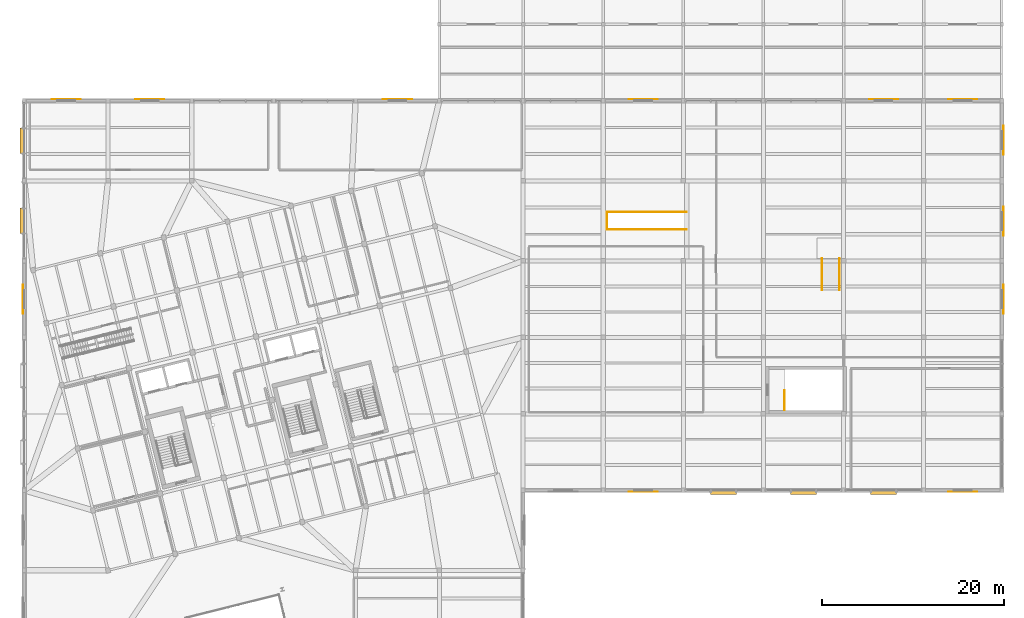
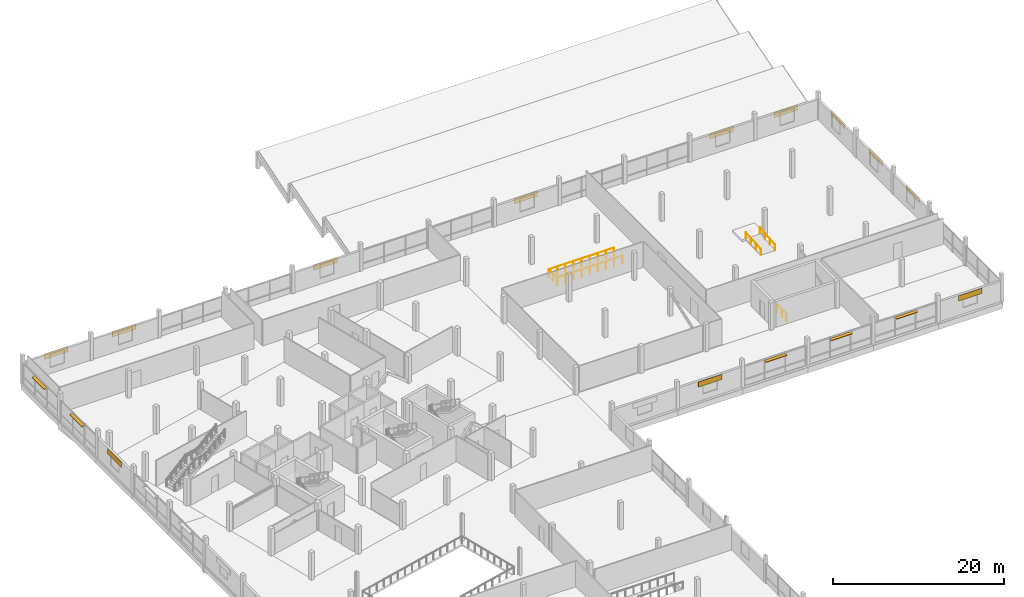
# One storey, part 62 of 62: 12 coverings, 6 railings, 5 shading devices.
"""IFC4 building model written with IfcOpenShell, lengths in metres."""

from ifc_helpers import new_model, si_unit, direction, frame, origin, origin_2d, place, context, subcontext, project, spatial, rectangle, circle, extrude, material, layer, layer_set, type_object, element, save


model = new_model("IFC4")

# Units and contexts
model_context = context("Model", 3, precision=1e-05, world=origin(), true_north=direction((0.0, 1.0)))
body_context = subcontext(model_context, "Body", "Model", "MODEL_VIEW")
ifc_project = project(units=[si_unit("LENGTHUNIT", "METRE"), si_unit("AREAUNIT", "SQUARE_METRE"), si_unit("VOLUMEUNIT", "CUBIC_METRE"), si_unit("PLANEANGLEUNIT", "RADIAN"), si_unit("MASSUNIT", "GRAM", prefix="KILO")], contexts=[model_context])

# Site, building, storey
site_placement = place(None, origin())
site = spatial("IfcSite", under=ifc_project, at=site_placement, CompositionType="ELEMENT")
building_placement = place(site_placement, origin())
building = spatial("IfcBuilding", under=site, at=building_placement, Name="Meriwether Solvik Hall", CompositionType="ELEMENT")
storey_placement = place(building_placement, frame((0.0, 0.0, 14.39990234375)))
storey = spatial("IfcBuildingStorey", under=building, at=storey_placement, Name="L03", CompositionType="ELEMENT", Elevation=14.39990234375)

# Coverings
ifc_material_1 = material(Name="Acetylated Charred Western Red Cedar Timber", Category="wood")
ifc_layer_1 = layer(ifc_material_1, 0.0400390625)
ifc_layer_set_1 = layer_set([ifc_layer_1], Name="Acetylated Charred Western Red Cedar Timber")
covering_type = type_object("IfcCoveringType", Name="COV-CLAD-TIMB", PredefinedType="CLADDING", material=ifc_layer_set_1)
for number, where, z_axis, x_axis, name in (
    (1, (127.39990234375, 49.840087890625, 2.05517578125), (0.0, 0.0, 1.0), (-1.0, 0.0, 0.0), "L03 Facade Cladding XF_14_7"),
    (2, (162.5, 49.840087890625, 2.05517578125), (0.0, 0.0, 1.0), (-1.0, 0.0, 0.0), "L03 Facade Cladding XF_18_11"),
    (3, (64.0, 92.9599609375, 2.05517578125), (0.0, 0.0, 1.0), (1.0, 0.0, 0.0), "L03 Facade Cladding XK_7_12"),
    (4, (73.199951171875, 92.9599609375, 2.05517578125), (0.0, 0.0, 1.0), (1.0, 0.0, 0.0), "L03 Facade Cladding XK_8_13"),
    (5, (100.39990234375, 92.9599609375, 2.05517578125), (0.0, 0.0, 1.0), (1.0, 0.0, 0.0), "L03 Facade Cladding XK_11_16"),
    (6, (127.39990234375, 92.9599609375, 2.05517578125), (0.0, 0.0, 1.0), (1.0, 0.0, 0.0), "L03 Facade Cladding XK_14_19"),
    (7, (153.800048828125, 92.9599609375, 2.05517578125), (0.0, 0.0, 1.0), (1.0, 0.0, 0.0), "L03 Facade Cladding XK_17_22"),
    (8, (162.5, 92.9599609375, 2.05517578125), (0.0, 0.0, 1.0), (1.0, 0.0, 0.0), "L03 Facade Cladding XK_18_23"),
    (9, (59.239990234375, 71.0, 2.05517578125), (0.0, 0.0, 1.0), (0.0, 1.0, 0.0), "L03 Facade Cladding Y7_8_31"),
    (10, (166.9599609375, 71.0, 2.05517578125), (0.0, 0.0, 1.0), (0.0, -1.0, 0.0), "L03 Facade Cladding Y19_8_41"),
    (11, (166.9599609375, 79.548828125, 2.05517578125), (0.0, 0.0, 1.0), (0.0, -1.0, 0.0), "L03 Facade Cladding Y19_9_42"),
    (12, (166.9599609375, 88.451171875, 2.05517578125), (0.0, 0.0, 1.0), (0.0, -1.0, 0.0), "L03 Facade Cladding Y19_10_43"),
):
    element("IfcCovering", number, at=place(storey_placement, frame(where, z_axis=z_axis, x_axis=x_axis)), inside=storey, type_object=covering_type, Name=name, PredefinedType="CLADDING", context=body_context, shape_type="SweptSolid", body=[
        extrude(rectangle(XDim=3.199951171875, YDim=0.0400390625, at=origin_2d()), origin(), (0.0, 0.0, 1.0), 0.75),
    ])

# Railings
ifc_material_2 = material(Name="Steel A36 Galvanised", Category="steel")
ifc_layer_2 = layer(ifc_material_2, 0.054931640625)
ifc_layer_set_2 = layer_set([ifc_layer_2], Name="Steel A36 Galvanised")
railing_type_1 = type_object("IfcRailingType", Name="RAIL-STR-GUARD", PredefinedType="GUARDRAIL", material=ifc_layer_set_2)
railing_1_placement = place(storey_placement, frame((142.889892578125, 58.800048828125, 0.0)))
element("IfcRailing", 13, at=railing_1_placement, inside=storey, type_object=railing_type_1, Name="Stair ST-05 Top Arrival Well Guardrail (L03)", PredefinedType="GUARDRAIL", context=body_context, shape_type="SweptSolid", body=[
    extrude(circle(Radius=0.02392578125, at=origin_2d()), frame((0.0, 0.0, 1.09619140625), z_axis=(0.0, 1.0, 0.0), x_axis=(-1.0, 0.0, 0.0)), (0.0, 0.0, 1.0), 2.199951171875),
    extrude(circle(Radius=0.02099609375, at=origin_2d()), origin(), (0.0, 0.0, 1.0), 1.072021484375),
    extrude(circle(Radius=0.02099609375, at=origin_2d()), frame((0.0, 1.10009765625, 0.0)), (0.0, 0.0, 1.0), 1.072021484375),
    extrude(circle(Radius=0.02099609375, at=origin_2d()), frame((0.0, 2.199951171875, 0.0)), (0.0, 0.0, 1.0), 1.072021484375),
])
railing_2_placement = place(storey_placement, frame((132.169921875, 78.635009765625, 0.0)))
element("IfcRailing", 14, at=railing_2_placement, inside=storey, type_object=railing_type_1, Name="Stair ST-LB3 Arrival Well Guardrail (L03) 1", PredefinedType="GUARDRAIL", context=body_context, shape_type="SweptSolid", body=[
    extrude(circle(Radius=0.02392578125, at=origin_2d()), frame((0.0, 0.0, 1.09619140625), z_axis=(-1.0, 0.0, 0.0), x_axis=(0.0, -1.0, 0.0)), (0.0, 0.0, 1.0), 8.747802734375),
    extrude(circle(Radius=0.02099609375, at=origin_2d()), origin(), (0.0, 0.0, 1.0), 1.072021484375),
    extrude(circle(Radius=0.02099609375, at=origin_2d()), frame((-1.093505859375, 0.0, 0.0)), (0.0, 0.0, 1.0), 1.072021484375),
    extrude(circle(Radius=0.02099609375, at=origin_2d()), frame((-2.18701171875, 0.0, 0.0)), (0.0, 0.0, 1.0), 1.072021484375),
    extrude(circle(Radius=0.02099609375, at=origin_2d()), frame((-3.280517578125, 0.0, 0.0)), (0.0, 0.0, 1.0), 1.072021484375),
    extrude(circle(Radius=0.02099609375, at=origin_2d()), frame((-4.3740234375, 0.0, 0.0)), (0.0, 0.0, 1.0), 1.072021484375),
    extrude(circle(Radius=0.02099609375, at=origin_2d()), frame((-5.46728515625, 0.0, 0.0)), (0.0, 0.0, 1.0), 1.072021484375),
    extrude(circle(Radius=0.02099609375, at=origin_2d()), frame((-6.560791015625, 0.0, 0.0)), (0.0, 0.0, 1.0), 1.072021484375),
    extrude(circle(Radius=0.02099609375, at=origin_2d()), frame((-7.654296875, 0.0, 0.0)), (0.0, 0.0, 1.0), 1.072021484375),
    extrude(circle(Radius=0.02099609375, at=origin_2d()), frame((-8.747802734375, 0.0, 0.0)), (0.0, 0.0, 1.0), 1.072021484375),
])
railing_3_placement = place(storey_placement, frame((123.389892578125, 78.6669921875, 0.0)))
element("IfcRailing", 15, at=railing_3_placement, inside=storey, type_object=railing_type_1, Name="Stair ST-LB3 Arrival Well Guardrail (L03) 2", PredefinedType="GUARDRAIL", context=body_context, shape_type="SweptSolid", body=[
    extrude(circle(Radius=0.02392578125, at=origin_2d()), frame((0.0, 0.0, 1.09619140625), z_axis=(0.0, 1.0, 0.0), x_axis=(-1.0, 0.0, 0.0)), (0.0, 0.0, 1.0), 1.865966796875),
    extrude(circle(Radius=0.02099609375, at=origin_2d()), origin(), (0.0, 0.0, 1.0), 1.072021484375),
    extrude(circle(Radius=0.02099609375, at=origin_2d()), frame((0.0, 0.93310546875, 0.0)), (0.0, 0.0, 1.0), 1.072021484375),
    extrude(circle(Radius=0.02099609375, at=origin_2d()), frame((0.0, 1.865966796875, 0.0)), (0.0, 0.0, 1.0), 1.072021484375),
])
railing_4_placement = place(storey_placement, frame((123.422119140625, 80.56494140625, 0.0)))
element("IfcRailing", 16, at=railing_4_placement, inside=storey, type_object=railing_type_1, Name="Stair ST-LB3 Arrival Well Guardrail (L03) 3", PredefinedType="GUARDRAIL", context=body_context, shape_type="SweptSolid", body=[
    extrude(circle(Radius=0.02392578125, at=origin_2d()), frame((0.0, 0.0, 1.09619140625), z_axis=(1.0, 0.0, 0.0), x_axis=(0.0, 1.0, 0.0)), (0.0, 0.0, 1.0), 8.747802734375),
    extrude(circle(Radius=0.02099609375, at=origin_2d()), origin(), (0.0, 0.0, 1.0), 1.072021484375),
    extrude(circle(Radius=0.02099609375, at=origin_2d()), frame((1.093505859375, 0.0, 0.0)), (0.0, 0.0, 1.0), 1.072021484375),
    extrude(circle(Radius=0.02099609375, at=origin_2d()), frame((2.18701171875, 0.0, 0.0)), (0.0, 0.0, 1.0), 1.072021484375),
    extrude(circle(Radius=0.02099609375, at=origin_2d()), frame((3.280517578125, 0.0, 0.0)), (0.0, 0.0, 1.0), 1.072021484375),
    extrude(circle(Radius=0.02099609375, at=origin_2d()), frame((4.3740234375, 0.0, 0.0)), (0.0, 0.0, 1.0), 1.072021484375),
    extrude(circle(Radius=0.02099609375, at=origin_2d()), frame((5.46728515625, 0.0, 0.0)), (0.0, 0.0, 1.0), 1.072021484375),
    extrude(circle(Radius=0.02099609375, at=origin_2d()), frame((6.560791015625, 0.0, 0.0)), (0.0, 0.0, 1.0), 1.072021484375),
    extrude(circle(Radius=0.02099609375, at=origin_2d()), frame((7.654296875, 0.0, 0.0)), (0.0, 0.0, 1.0), 1.072021484375),
    extrude(circle(Radius=0.02099609375, at=origin_2d()), frame((8.747802734375, 0.0, 0.0)), (0.0, 0.0, 1.0), 1.072021484375),
])
ifc_material_3 = material(Name="Stainless Steel AISI 316", Category="steel")
ifc_layer_3 = layer(ifc_material_3, 0.044921875)
ifc_layer_set_3 = layer_set([ifc_layer_3], Name="Stainless Steel AISI 316")
railing_type_2 = type_object("IfcRailingType", Name="RAIL-STR-HAND", PredefinedType="HANDRAIL", material=ifc_layer_set_3)
for number, where, name in (
    (17, (147.050048828125, 72.0, 0.0), "Accessible Ramp AR5 Handrail W"),
    (18, (148.949951171875, 72.0, 0.0), "Accessible Ramp AR5 Handrail E"),
):
    element("IfcRailing", number, at=place(storey_placement, frame(where)), inside=storey, type_object=railing_type_2, Name=name, PredefinedType="HANDRAIL", context=body_context, shape_type="SweptSolid", body=[
        extrude(circle(Radius=0.02392578125, at=origin_2d()), frame((0.0, 0.0, 0.89599609375), z_axis=(0.0, 0.996814615237, 0.079753513091), x_axis=(-1.0, 0.0, 0.0)), (0.0, 0.0, 1.0), 3.51123046875),
        extrude(circle(Radius=0.02099609375, at=origin_2d()), origin(), (0.0, 0.0, 1.0), 0.871826171875),
        extrude(circle(Radius=0.02099609375, at=origin_2d()), frame((0.0, 1.166748046875, 0.09326171875)), (0.0, 0.0, 1.0), 0.871826171875),
        extrude(circle(Radius=0.02099609375, at=origin_2d()), frame((0.0, 2.333251953125, 0.186767578125)), (0.0, 0.0, 1.0), 0.871826171875),
        extrude(circle(Radius=0.02099609375, at=origin_2d()), frame((0.0, 3.5, 0.280029296875)), (0.0, 0.0, 1.0), 0.871826171875),
    ])

# Shading devices
ifc_material_4 = material(Name="Anodised Aluminium 6063-T6", Category="aluminium")
shading_device_type_1 = type_object("IfcShadingDeviceType", Name="SHD-LOUVRE-S", PredefinedType="SHUTTER", material=ifc_material_4)
for number, where, z_axis, x_axis, name in (
    (19, (136.199951171875, 49.760009765625, 2.594970703125), (0.0, 0.0, 1.0), (-1.0, 0.0, 0.0), "Solar Shading Louvre wing_XF_15_8"),
    (20, (145.0, 49.760009765625, 2.594970703125), (0.0, 0.0, 1.0), (-1.0, 0.0, 0.0), "Solar Shading Louvre wing_XF_16_9"),
    (21, (153.800048828125, 49.760009765625, 2.594970703125), (0.0, 0.0, 1.0), (-1.0, 0.0, 0.0), "Solar Shading Louvre wing_XF_17_10"),
):
    element("IfcShadingDevice", number, at=place(storey_placement, frame(where, z_axis=z_axis, x_axis=x_axis)), inside=storey, type_object=shading_device_type_1, Name=name, PredefinedType="SHUTTER", context=body_context, shape_type="SweptSolid", body=[
        extrude(rectangle(XDim=2.83740234375, YDim=0.4599609375, at=origin_2d()), origin(), (0.0, 0.0, 1.0), 0.080078125),
    ])
ifc_material_5 = material(Name="Anodised Aluminium 6063-T6", Category="aluminium")
shading_device_type_2 = type_object("IfcShadingDeviceType", Name="SHD-LOUVRE-W", PredefinedType="USERDEFINED", material=ifc_material_5)
for number, where, z_axis, x_axis, name in (
    (22, (59.159912109375, 79.60009765625, 2.594970703125), (0.0, 0.0, 1.0), (0.0, 1.0, 0.0), "Solar Shading Louvre wing_Y7_9_32"),
    (23, (59.159912109375, 88.39990234375, 2.594970703125), (0.0, 0.0, 1.0), (0.0, 1.0, 0.0), "Solar Shading Louvre wing_Y7_10_33"),
):
    element("IfcShadingDevice", number, at=place(storey_placement, frame(where, z_axis=z_axis, x_axis=x_axis)), inside=storey, type_object=shading_device_type_2, Name=name, ObjectType="LOUVER", PredefinedType="USERDEFINED", context=body_context, shape_type="SweptSolid", body=[
        extrude(rectangle(XDim=2.812255859375, YDim=0.4599609375, at=origin_2d()), origin(), (0.0, 0.0, 1.0), 0.080078125),
    ])

save(model, "model.ifc")
